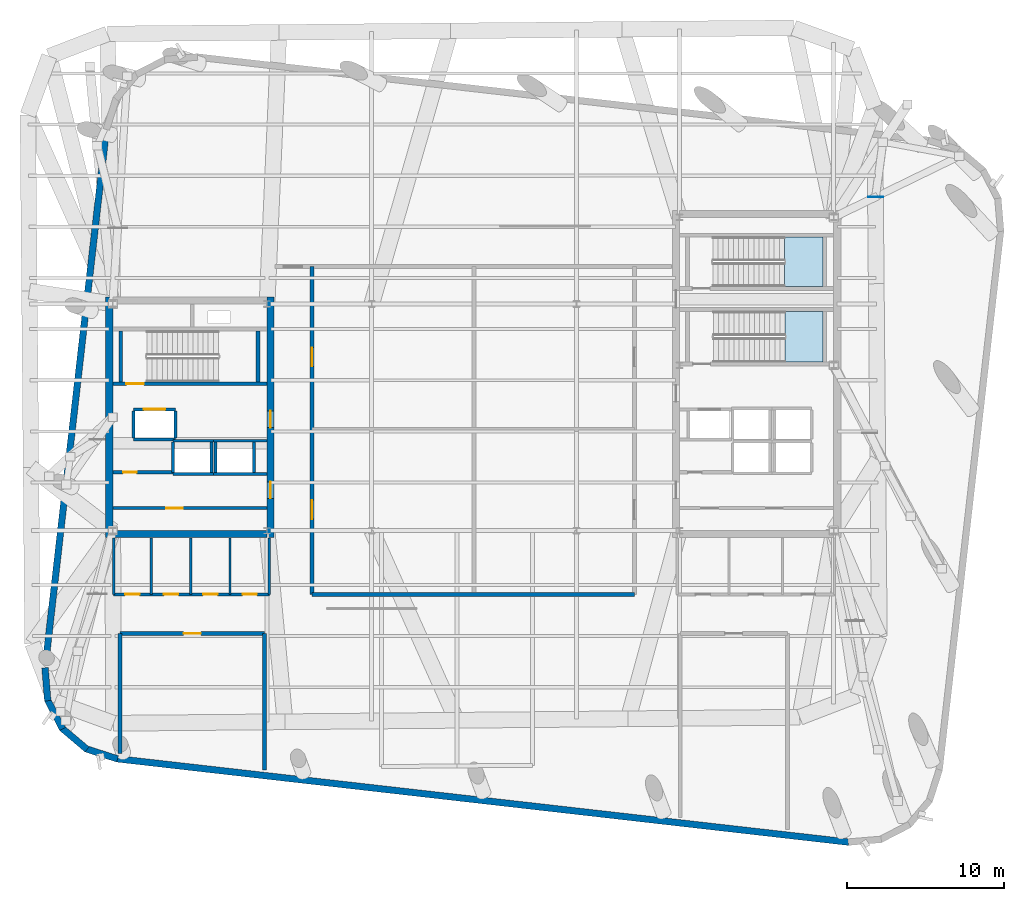
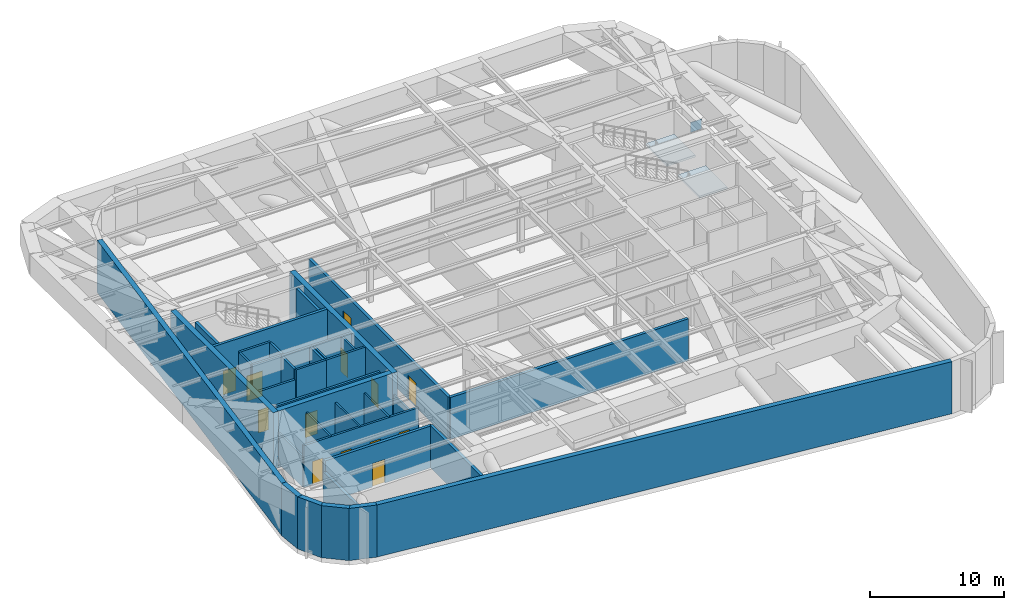
# One storey, part 7 of 12: 37 walls, 13 doors, 2 slabs, 1 plate, 13 openings, 2 elements without a shape of their own.
"""IFC4 building model written with IfcOpenShell, lengths in metres."""

from ifc_helpers import new_model, si_unit, direction, frame, frame_2d, origin, origin_2d, place, context, subcontext, project, spatial, polyline, rectangle, outline, extrude, material, layer, layer_set, type_object, element, fill, aggregate, save


model = new_model("IFC4")

# Units and contexts
model_context = context("Model", 3, precision=1e-05, world=origin(), true_north=direction((0.0, 1.0)))
body_context = subcontext(model_context, "Body", "Model", "MODEL_VIEW")
ifc_project = project(units=[si_unit("LENGTHUNIT", "METRE"), si_unit("AREAUNIT", "SQUARE_METRE"), si_unit("VOLUMEUNIT", "CUBIC_METRE"), si_unit("PLANEANGLEUNIT", "RADIAN"), si_unit("MASSUNIT", "GRAM", prefix="KILO")], contexts=[model_context])

# Site, building, storey
site_placement = place(None, origin())
site = spatial("IfcSite", under=ifc_project, at=site_placement, CompositionType="ELEMENT")
building_placement = place(site_placement, origin())
building = spatial("IfcBuilding", under=site, at=building_placement, Name="Kolvaren Arena Tower", CompositionType="ELEMENT")
storey_placement = place(building_placement, frame((0.0, 0.0, 269.699951171875)))
storey = spatial("IfcBuildingStorey", under=building, at=storey_placement, Name="L66", CompositionType="ELEMENT", Elevation=269.699951171875)

# Plate
ifc_material_1 = material(Name="Steel CSA G40.21 350WT", Category="steel")
ifc_layer_1 = layer(ifc_material_1, 0.0380859375)
ifc_layer_set_1 = layer_set([ifc_layer_1], Name="Steel CSA G40.21 350WT")
plate_type = type_object("IfcPlateType", Name="PLT-GUS-B1", PredefinedType="USERDEFINED", material=ifc_layer_set_1)
plate_placement = place(storey_placement, frame((63.010009765625, 40.6455078125, 0.2001953125), z_axis=(0.0, 0.0, 1.0), x_axis=(1.0, 0.0, 0.0)))
element("IfcPlate", 1, at=plate_placement, inside=storey, type_object=plate_type, Name="Outrigger Truss Gusset Plate 4 (L66)", ObjectType="GUSSET PLATE", PredefinedType="USERDEFINED", context=body_context, shape_type="SweptSolid", body=[
    extrude(rectangle(XDim=0.949951171875, YDim=0.0380859375, at=origin_2d()), origin(), (0.0, 0.0, 1.0), 0.89990234375),
])

# Stair, slab
ifc_material_2 = material(Name="Concrete 45 MPa", Category="concrete")
stair_type_1 = type_object("IfcStairType", Name="STAIR-CORE-165", PredefinedType="HALF_TURN_STAIR", material=ifc_material_2)
stair_1_placement = place(storey_placement, origin())
stair_1 = element("IfcStair", 2, at=stair_1_placement, inside=storey, type_object=stair_type_1, Name="L66 ST-E1", PredefinedType="HALF_TURN_STAIR")
ifc_layer_2 = layer(ifc_material_2, 0.199951171875)
ifc_layer_set_2 = layer_set([ifc_layer_2], Name="Concrete 45 MPa")
slab_type = type_object("IfcSlabType", Name="SLAB-LAND", PredefinedType="LANDING", material=ifc_layer_set_2)
slab_1_placement = place(storey_placement, frame((0.0, 0.0, 2.400146484375)))
slab_1 = element("IfcSlab", 3, at=slab_1_placement, type_object=slab_type, Name="ST-E1 landing 1", PredefinedType="LANDING", context=body_context, shape_type="SweptSolid", body=[
    extrude(outline(polyline([(57.256103515625, 30.14990234375), (59.659912109375, 30.14990234375), (59.659912109375, 33.3798828125), (57.256103515625, 33.3798828125), (57.256103515625, 30.14990234375)])), origin(), (0.0, 0.0, 1.0), 0.199951171875),
])
aggregate(stair_1, [slab_1])

stair_type_2 = type_object("IfcStairType", Name="STAIR-CORE-150", PredefinedType="HALF_TURN_STAIR", material=ifc_material_2)
stair_2_placement = place(storey_placement, origin())
stair_2 = element("IfcStair", 4, at=stair_2_placement, inside=storey, type_object=stair_type_2, Name="L66 ST-E2", PredefinedType="HALF_TURN_STAIR")
slab_2_placement = place(storey_placement, frame((0.0, 0.0, 2.400146484375)))
slab_2 = element("IfcSlab", 5, at=slab_2_placement, type_object=slab_type, Name="ST-E2 landing 1", PredefinedType="LANDING", context=body_context, shape_type="SweptSolid", body=[
    extrude(outline(polyline([(57.216064453125, 34.949951171875), (59.659912109375, 34.949951171875), (59.659912109375, 38.10009765625), (57.216064453125, 38.10009765625), (57.216064453125, 34.949951171875)])), origin(), (0.0, 0.0, 1.0), 0.199951171875),
])
aggregate(stair_2, [slab_2])

# Wall
ifc_material_3 = material(Name="Concrete 55 MPa", Category="concrete")
ifc_layer_3 = layer(ifc_material_3, 0.449951171875)
ifc_layer_set_3 = layer_set([ifc_layer_3], Name="Concrete 55 MPa")
wall_type_1 = type_object("IfcWallType", Name="CWALL-450", PredefinedType="SHEAR", material=ifc_layer_set_3)
wall_1_placement = place(storey_placement, frame((14.324951171875, 19.0, -0.419921875), z_axis=(0.0, 0.0, 1.0), x_axis=(0.0, 1.0, 0.0)))
element("IfcWall", 6, at=wall_1_placement, inside=storey, type_object=wall_type_1, Name="Core Shear Wall WC-WEST (L66)", PredefinedType="SHEAR", context=body_context, shape_type="SweptSolid", body=[
    extrude(rectangle(XDim=15.300048828125, YDim=0.449951171875, at=frame_2d((7.64990234375, 0.0))), origin(), (0.0, 0.0, 1.0), 5.169921875),
])

# Wall, openings, doors
wall_2_placement = place(storey_placement, frame((24.574951171875, 19.0, -0.419921875), z_axis=(0.0, 0.0, 1.0), x_axis=(0.0, 1.0, 0.0)))
wall_2 = element("IfcWall", 7, at=wall_2_placement, inside=storey, type_object=wall_type_1, Name="Core Shear Wall WC-EAST (L66)", PredefinedType="SHEAR", context=body_context, shape_type="SweptSolid", body=[
    extrude(rectangle(XDim=15.300048828125, YDim=0.449951171875, at=frame_2d((7.64990234375, 0.0))), origin(), (0.0, 0.0, 1.0), 5.169921875),
])
opening_1_placement = place(wall_2_placement, frame((2.5, 0.0, 0.419921875)))
opening_1 = element("IfcOpeningElement", 8, at=opening_1_placement, cuts=wall_2, Name="Opening D04", PredefinedType="OPENING", context=body_context, shape_type="SweptSolid", body=[
    extrude(rectangle(XDim=1.050048828125, YDim=2.14990234375, at=frame_2d((0.52490234375, 1.074951171875))), frame((0.0, 0.23486328125, 0.0), z_axis=(0.0, -1.0, 0.0), x_axis=(1.0, 0.0, 0.0)), (0.0, 0.0, 1.0), 0.469970703125),
])
opening_2_placement = place(wall_2_placement, frame((7.0, 0.0, 0.419921875)))
opening_2 = element("IfcOpeningElement", 9, at=opening_2_placement, cuts=wall_2, Name="Opening D04", PredefinedType="OPENING", context=body_context, shape_type="SweptSolid", body=[
    extrude(rectangle(XDim=1.050048828125, YDim=2.14990234375, at=frame_2d((0.52490234375, 1.074951171875))), frame((0.0, 0.23486328125, 0.0), z_axis=(0.0, -1.0, 0.0), x_axis=(1.0, 0.0, 0.0)), (0.0, 0.0, 1.0), 0.469970703125),
])
ifc_material_4 = material(Name="Fire-rated steel lobby door", Category="steel")
door_type_1 = type_object("IfcDoorType", Name="DOOR-FF-105", OperationType="NOTDEFINED", PredefinedType="DOOR", material=ifc_material_4)
door_1_placement = place(opening_1_placement, origin())
door_1 = element("IfcDoor", 10, at=door_1_placement, inside=storey, type_object=door_type_1, Name="West Lift Lobby Fire Door (L66)", OperationType="SINGLE_SWING_LEFT", OverallHeight=2.14990234375, OverallWidth=1.050048828125, PredefinedType="DOOR", context=body_context, shape_type="SweptSolid", body=[
    extrude(rectangle(XDim=1.050048828125, YDim=2.14990234375, at=frame_2d((0.52490234375, 1.074951171875))), frame((0.0, 0.02490234375, 0.0), z_axis=(0.0, -1.0, 0.0), x_axis=(1.0, 0.0, 0.0)), (0.0, 0.0, 1.0), 0.050048828125),
])
fill(opening_1, door_1)
door_2_placement = place(opening_2_placement, origin())
door_2 = element("IfcDoor", 11, at=door_2_placement, inside=storey, type_object=door_type_1, Name="West Firefighter Vestibule Door (L66)", OperationType="SINGLE_SWING_RIGHT", OverallHeight=2.14990234375, OverallWidth=1.050048828125, PredefinedType="DOOR", context=body_context, shape_type="SweptSolid", body=[
    extrude(rectangle(XDim=1.050048828125, YDim=2.14990234375, at=frame_2d((0.52490234375, 1.074951171875))), frame((0.0, 0.02490234375, 0.0), z_axis=(0.0, -1.0, 0.0), x_axis=(1.0, 0.0, 0.0)), (0.0, 0.0, 1.0), 0.050048828125),
])
fill(opening_2, door_2)

# Walls
wall_3_placement = place(storey_placement, frame((14.550048828125, 19.22509765625, -0.419921875), z_axis=(0.0, 0.0, 1.0), x_axis=(1.0, 0.0, 0.0)))
element("IfcWall", 12, at=wall_3_placement, inside=storey, type_object=wall_type_1, Name="Core Shear Wall WC-SOUTH (L66)", PredefinedType="SHEAR", context=body_context, shape_type="SweptSolid", body=[
    extrude(rectangle(XDim=9.800048828125, YDim=0.449951171875, at=frame_2d((4.89990234375, 0.0))), origin(), (0.0, 0.0, 1.0), 5.169921875),
])
ifc_material_5 = material(Name="Precast concrete C50/60", Category="concrete")
ifc_layer_4 = layer(ifc_material_5, 0.419921875)
ifc_layer_set_4 = layer_set([ifc_layer_4], Name="Precast concrete C50/60")
wall_type_2 = type_object("IfcWallType", Name="EXT-PIER1", PredefinedType="SOLIDWALL", material=ifc_layer_set_4)
wall_4_placement = place(storey_placement, frame((10.2412109375, 10.697265625, 0.0), z_axis=(0.0, 0.0, 1.0), x_axis=(0.113196122102, 0.993572663644, 0.0)))
element("IfcWall", 13, at=wall_4_placement, inside=storey, type_object=wall_type_2, Name="Exterior Precast Masonry-Frame Wall (L66)", PredefinedType="SOLIDWALL", context=body_context, shape_type="SweptSolid", body=[
    extrude(rectangle(XDim=34.5, YDim=0.419921875, at=frame_2d((17.25, 0.0))), origin(), (0.0, 0.0, 1.0), 4.75),
])
for number, where, z_axis, x_axis, name in (
    (14, (10.416015625, 8.638916015625, 0.0), (0.0, 0.0, 1.0), (-0.082738592698, 0.996571284595, 0.0), "Exterior Precast Masonry-Frame Wall (L66)"),
    (15, (11.3583984375, 6.844482421875, 0.0), (0.0, 0.0, 1.0), (-0.457934390142, 0.888985992199, 0.0), "Exterior Precast Masonry-Frame Wall (L66)"),
    (16, (12.915283203125, 5.547119140625, 0.0), (0.0, 0.0, 1.0), (-0.763144495302, 0.646227884953, 0.0), "Exterior Precast Masonry-Frame Wall (L66)"),
    (17, (14.850341796875, 4.944580078125, 0.0), (0.0, 0.0, 1.0), (-0.952393196904, 0.304872429864, 0.0), "Exterior Precast Masonry-Frame Wall (L66)"),
):
    element("IfcWall", number, at=place(storey_placement, frame(where, z_axis=z_axis, x_axis=x_axis)), inside=storey, type_object=wall_type_2, Name=name, PredefinedType="SOLIDWALL", context=body_context, shape_type="SweptSolid", body=[
        extrude(rectangle(XDim=2.10693359375, YDim=0.419921875, at=frame_2d((1.053466796875, 0.0))), origin(), (0.0, 0.0, 1.0), 4.75),
    ])
wall_5_placement = place(storey_placement, frame((61.309326171875, -0.3447265625, 0.0), z_axis=(0.0, 0.0, 1.0), x_axis=(-0.99357137216, 0.113207457457, 0.0)))
element("IfcWall", 18, at=wall_5_placement, inside=storey, type_object=wall_type_2, Name="Exterior Precast Masonry-Frame Wall (L66)", PredefinedType="SOLIDWALL", context=body_context, shape_type="SweptSolid", body=[
    extrude(rectangle(XDim=46.7998046875, YDim=0.419921875, at=frame_2d((23.39990234375, 0.0))), origin(), (0.0, 0.0, 1.0), 4.75),
])

# Wall, opening, door
ifc_material_6 = material(Name="Concrete 40 MPa", Category="concrete")
ifc_layer_5 = layer(ifc_material_6, 0.199951171875)
ifc_layer_set_5 = layer_set([ifc_layer_5], Name="Concrete 40 MPa")
wall_type_3 = type_object("IfcWallType", Name="LOBBY-200", PredefinedType="SOLIDWALL", material=ifc_layer_set_5)
wall_6_placement = place(storey_placement, frame((14.550048828125, 20.8798828125, 0.0), z_axis=(0.0, 0.0, 1.0), x_axis=(1.0, 0.0, 0.0)))
wall_6 = element("IfcWall", 19, at=wall_6_placement, inside=storey, type_object=wall_type_3, Name="Core Shaft Wall (L66)", PredefinedType="SOLIDWALL", context=body_context, shape_type="SweptSolid", body=[
    extrude(rectangle(XDim=9.800048828125, YDim=0.199951171875, at=frame_2d((4.89990234375, 0.0))), origin(), (0.0, 0.0, 1.0), 3.81005859375),
])
opening_3_placement = place(wall_6_placement, frame((3.39990234375, 0.0, 0.0)))
opening_3 = element("IfcOpeningElement", 20, at=opening_3_placement, cuts=wall_6, Name="Opening D04", PredefinedType="OPENING", context=body_context, shape_type="SweptSolid", body=[
    extrude(rectangle(XDim=1.050048828125, YDim=2.14990234375, at=frame_2d((0.52490234375, 1.074951171875))), frame((0.0, 0.10986328125, 0.0), z_axis=(0.0, -1.0, 0.0), x_axis=(1.0, 0.0, 0.0)), (0.0, 0.0, 1.0), 0.219970703125),
])
door_3_placement = place(opening_3_placement, origin())
door_3 = element("IfcDoor", 21, at=door_3_placement, inside=storey, type_object=door_type_1, Name="West IT Room Fire Door (L66)", OperationType="SINGLE_SWING_LEFT", OverallHeight=2.14990234375, OverallWidth=1.050048828125, PredefinedType="DOOR", context=body_context, shape_type="SweptSolid", body=[
    extrude(rectangle(XDim=1.050048828125, YDim=2.14990234375, at=frame_2d((0.52490234375, 1.074951171875))), frame((0.0, 0.02490234375, 0.0), z_axis=(0.0, -1.0, 0.0), x_axis=(1.0, 0.0, 0.0)), (0.0, 0.0, 1.0), 0.050048828125),
])
fill(opening_3, door_3)

wall_7_placement = place(storey_placement, frame((14.550048828125, 23.159912109375, 0.0), z_axis=(0.0, 0.0, 1.0), x_axis=(1.0, 0.0, 0.0)))
wall_7 = element("IfcWall", 22, at=wall_7_placement, inside=storey, type_object=wall_type_3, Name="Core Shaft Wall (L66)", PredefinedType="SOLIDWALL", context=body_context, shape_type="SweptSolid", body=[
    extrude(rectangle(XDim=3.820068359375, YDim=0.199951171875, at=frame_2d((1.91015625, 0.0))), origin(), (0.0, 0.0, 1.0), 3.81005859375),
])
opening_4_placement = place(wall_7_placement, frame((0.64990234375, 0.0, 0.0)))
opening_4 = element("IfcOpeningElement", 23, at=opening_4_placement, cuts=wall_7, Name="Opening D09", PredefinedType="OPENING", context=body_context, shape_type="SweptSolid", body=[
    extrude(rectangle(XDim=0.860107421875, YDim=2.050048828125, at=frame_2d((0.43017578125, 1.02490234375))), frame((0.0, 0.10986328125, 0.0), z_axis=(0.0, -1.0, 0.0), x_axis=(1.0, 0.0, 0.0)), (0.0, 0.0, 1.0), 0.219970703125),
])
ifc_material_7 = material(Name="Fire-rated steel riser access door", Category="steel")
door_type_2 = type_object("IfcDoorType", Name="DOOR-RS-086", OperationType="NOTDEFINED", PredefinedType="DOOR", material=ifc_material_7)
door_4_placement = place(opening_4_placement, origin())
door_4 = element("IfcDoor", 24, at=door_4_placement, inside=storey, type_object=door_type_2, Name="West Document Archive Riser Door (L66)", OperationType="SINGLE_SWING_RIGHT", OverallHeight=2.050048828125, OverallWidth=0.860107421875, PredefinedType="DOOR", context=body_context, shape_type="SweptSolid", body=[
    extrude(rectangle(XDim=0.860107421875, YDim=2.050048828125, at=frame_2d((0.43017578125, 1.02490234375))), frame((0.0, 0.02490234375, 0.0), z_axis=(0.0, -1.0, 0.0), x_axis=(1.0, 0.0, 0.0)), (0.0, 0.0, 1.0), 0.050048828125),
])
fill(opening_4, door_4)

ifc_layer_6 = layer(ifc_material_2, 0.25)
ifc_layer_set_6 = layer_set([ifc_layer_6], Name="Concrete 45 MPa")
wall_type_4 = type_object("IfcWallType", Name="SHAFT-250", PredefinedType="SOLIDWALL", material=ifc_layer_set_6)
wall_8_placement = place(storey_placement, frame((24.35009765625, 28.780029296875, 0.0), z_axis=(0.0, 0.0, 1.0), x_axis=(-1.0, 0.0, 0.0)))
wall_8 = element("IfcWall", 25, at=wall_8_placement, inside=storey, type_object=wall_type_4, Name="Core Shaft Wall (L66)", PredefinedType="SOLIDWALL", context=body_context, shape_type="SweptSolid", body=[
    extrude(rectangle(XDim=9.800048828125, YDim=0.239990234375, at=frame_2d((4.89990234375, 0.0))), origin(), (0.0, 0.0, 1.0), 4.75),
])
opening_5_placement = place(wall_8_placement, frame((7.830078125, 0.0, 0.0)))
opening_5 = element("IfcOpeningElement", 26, at=opening_5_placement, cuts=wall_8, Name="Opening D03", PredefinedType="OPENING", context=body_context, shape_type="SweptSolid", body=[
    extrude(rectangle(XDim=1.10009765625, YDim=2.14990234375, at=frame_2d((0.550048828125, 1.074951171875))), frame((0.0, 0.1298828125, 0.0), z_axis=(0.0, -1.0, 0.0), x_axis=(1.0, 0.0, 0.0)), (0.0, 0.0, 1.0), 0.260009765625),
])
ifc_material_8 = material(Name="Fire-rated steel exit stair door", Category="steel")
door_type_3 = type_object("IfcDoorType", Name="DOOR-ST-110", OperationType="NOTDEFINED", PredefinedType="DOOR", material=ifc_material_8)
door_5_placement = place(opening_5_placement, origin())
door_5 = element("IfcDoor", 27, at=door_5_placement, inside=storey, type_object=door_type_3, Name="Stair ST-W1 Fire Door (L66)", OperationType="SINGLE_SWING_RIGHT", OverallHeight=2.14990234375, OverallWidth=1.10009765625, PredefinedType="DOOR", context=body_context, shape_type="SweptSolid", body=[
    extrude(rectangle(XDim=1.10009765625, YDim=2.14990234375, at=frame_2d((0.550048828125, 1.074951171875))), frame((0.0, 0.02490234375, 0.0), z_axis=(0.0, -1.0, 0.0), x_axis=(1.0, 0.0, 0.0)), (0.0, 0.0, 1.0), 0.050048828125),
])
fill(opening_5, door_5)

# Walls
for number, where, z_axis, x_axis, name in (
    (28, (15.06005859375, 28.89990234375, 0.0), (0.0, 0.0, 1.0), (0.0, 1.0, 0.0), "Core Shaft Wall (L66)"),
    (29, (23.780029296875, 28.89990234375, 0.0), (0.0, 0.0, 1.0), (0.0, 1.0, 0.0), "Core Shaft Wall (L66)"),
):
    element("IfcWall", number, at=place(storey_placement, frame(where, z_axis=z_axis, x_axis=x_axis)), inside=storey, type_object=wall_type_4, Name=name, PredefinedType="SOLIDWALL", context=body_context, shape_type="SweptSolid", body=[
        extrude(rectangle(XDim=3.22998046875, YDim=0.239990234375, at=frame_2d((1.614990234375, 0.0))), origin(), (0.0, 0.0, 1.0), 4.75),
    ])
for number, where, z_axis, x_axis, name in (
    (30, (18.3701171875, 25.155029296875, 0.0), (0.0, 0.0, 1.0), (1.0, 0.0, 0.0), "Core Shaft Wall (L66)"),
    (31, (18.3701171875, 23.044921875, 0.0), (0.0, 0.0, 1.0), (1.0, 0.0, 0.0), "Core Shaft Wall (L66)"),
):
    element("IfcWall", number, at=place(storey_placement, frame(where, z_axis=z_axis, x_axis=x_axis)), inside=storey, type_object=wall_type_4, Name=name, PredefinedType="SOLIDWALL", context=body_context, shape_type="SweptSolid", body=[
        extrude(rectangle(XDim=2.579833984375, YDim=0.179931640625, at=frame_2d((1.2900390625, 0.0))), origin(), (0.0, 0.0, 1.0), 4.75),
    ])
for number, where, z_axis, x_axis, name in (
    (32, (18.3701171875, 23.135009765625, 0.0), (0.0, 0.0, 1.0), (0.0, 1.0, 0.0), "Core Shaft Wall (L66)"),
    (33, (20.830078125, 23.135009765625, 0.0), (0.0, 0.0, 1.0), (0.0, 1.0, 0.0), "Core Shaft Wall (L66)"),
):
    element("IfcWall", number, at=place(storey_placement, frame(where, z_axis=z_axis, x_axis=x_axis)), inside=storey, type_object=wall_type_4, Name=name, PredefinedType="SOLIDWALL", context=body_context, shape_type="SweptSolid", body=[
        extrude(rectangle(XDim=1.929931640625, YDim=0.179931640625, at=frame_2d((0.96484375, 0.0))), origin(), (0.0, 0.0, 1.0), 4.75),
    ])
for number, where, z_axis, x_axis, name in (
    (34, (20.949951171875, 25.155029296875, 0.0), (0.0, 0.0, 1.0), (1.0, 0.0, 0.0), "Core Shaft Wall (L66)"),
    (35, (20.949951171875, 23.044921875, 0.0), (0.0, 0.0, 1.0), (1.0, 0.0, 0.0), "Core Shaft Wall (L66)"),
):
    element("IfcWall", number, at=place(storey_placement, frame(where, z_axis=z_axis, x_axis=x_axis)), inside=storey, type_object=wall_type_4, Name=name, PredefinedType="SOLIDWALL", context=body_context, shape_type="SweptSolid", body=[
        extrude(rectangle(XDim=3.400146484375, YDim=0.179931640625, at=frame_2d((1.7001953125, 0.0))), origin(), (0.0, 0.0, 1.0), 4.75),
    ])
for number, where, z_axis, x_axis, name in (
    (36, (21.070068359375, 23.135009765625, 0.0), (0.0, 0.0, 1.0), (0.0, 1.0, 0.0), "Core Shaft Wall (L66)"),
    (37, (23.530029296875, 23.135009765625, 0.0), (0.0, 0.0, 1.0), (0.0, 1.0, 0.0), "Core Shaft Wall (L66)"),
):
    element("IfcWall", number, at=place(storey_placement, frame(where, z_axis=z_axis, x_axis=x_axis)), inside=storey, type_object=wall_type_4, Name=name, PredefinedType="SOLIDWALL", context=body_context, shape_type="SweptSolid", body=[
        extrude(rectangle(XDim=1.929931640625, YDim=0.179931640625, at=frame_2d((0.96484375, 0.0))), origin(), (0.0, 0.0, 1.0), 4.75),
    ])

# Wall, opening, door
wall_9_placement = place(storey_placement, frame((15.8701171875, 27.155029296875, 0.0), z_axis=(0.0, 0.0, 1.0), x_axis=(1.0, 0.0, 0.0)))
wall_9 = element("IfcWall", 38, at=wall_9_placement, inside=storey, type_object=wall_type_4, Name="Core Shaft Wall (L66)", PredefinedType="SOLIDWALL", context=body_context, shape_type="SweptSolid", body=[
    extrude(rectangle(XDim=2.659912109375, YDim=0.179931640625, at=frame_2d((1.330078125, 0.0))), origin(), (0.0, 0.0, 1.0), 4.75),
])
opening_6_placement = place(wall_9_placement, frame((0.655029296875, 0.0, 0.0)))
opening_6 = element("IfcOpeningElement", 39, at=opening_6_placement, cuts=wall_9, Name="Opening LD2", PredefinedType="OPENING", context=body_context, shape_type="SweptSolid", body=[
    extrude(rectangle(XDim=1.35009765625, YDim=2.300048828125, at=frame_2d((0.675048828125, 1.14990234375))), frame((0.0, 0.099853515625, 0.0), z_axis=(0.0, -1.0, 0.0), x_axis=(1.0, 0.0, 0.0)), (0.0, 0.0, 1.0), 0.199951171875),
])
ifc_material_9 = material(Name="Stainless steel firefighter lift landing door", Category="steel")
door_type_4 = type_object("IfcDoorType", Name="DOOR-LD-135", OperationType="DOUBLE_DOOR_SLIDING", PredefinedType="DOOR", material=ifc_material_9)
door_6_placement = place(opening_6_placement, origin())
door_6 = element("IfcDoor", 40, at=door_6_placement, inside=storey, type_object=door_type_4, Name="Firefighter Lift FF-W1 Landing Door (L66)", OperationType="DOUBLE_DOOR_SLIDING", OverallHeight=2.300048828125, OverallWidth=1.35009765625, PredefinedType="DOOR", context=body_context, shape_type="SweptSolid", body=[
    extrude(rectangle(XDim=1.35009765625, YDim=2.300048828125, at=frame_2d((0.675048828125, 1.14990234375))), frame((0.0, 0.02490234375, 0.0), z_axis=(0.0, -1.0, 0.0), x_axis=(1.0, 0.0, 0.0)), (0.0, 0.0, 1.0), 0.050048828125),
])
fill(opening_6, door_6)

# Walls
wall_10_placement = place(storey_placement, frame((15.8701171875, 25.2451171875, 0.0), z_axis=(0.0, 0.0, 1.0), x_axis=(1.0, 0.0, 0.0)))
element("IfcWall", 41, at=wall_10_placement, inside=storey, type_object=wall_type_4, Name="Core Shaft Wall (L66)", PredefinedType="SOLIDWALL", context=body_context, shape_type="SweptSolid", body=[
    extrude(rectangle(XDim=2.659912109375, YDim=0.179931640625, at=frame_2d((1.330078125, 0.0))), origin(), (0.0, 0.0, 1.0), 4.75),
])
for number, where, z_axis, x_axis, name in (
    (42, (15.8701171875, 25.3349609375, 0.0), (0.0, 0.0, 1.0), (0.0, 1.0, 0.0), "Core Shaft Wall (L66)"),
    (43, (18.530029296875, 25.3349609375, 0.0), (0.0, 0.0, 1.0), (0.0, 1.0, 0.0), "Core Shaft Wall (L66)"),
):
    element("IfcWall", number, at=place(storey_placement, frame(where, z_axis=z_axis, x_axis=x_axis)), inside=storey, type_object=wall_type_4, Name=name, PredefinedType="SOLIDWALL", context=body_context, shape_type="SweptSolid", body=[
        extrude(rectangle(XDim=1.72998046875, YDim=0.179931640625, at=frame_2d((0.864990234375, 0.0))), origin(), (0.0, 0.0, 1.0), 4.75),
    ])
wall_11_placement = place(storey_placement, frame((27.199951171875, 15.3798828125, 0.0), z_axis=(0.0, 0.0, 1.0), x_axis=(1.0, 0.0, 0.0)))
element("IfcWall", 44, at=wall_11_placement, inside=storey, type_object=wall_type_4, Name="Interior Partition Wall (L66)", PredefinedType="SOLIDWALL", context=body_context, shape_type="SweptSolid", body=[
    extrude(rectangle(XDim=20.5, YDim=0.25, at=frame_2d((10.25, 0.0))), origin(), (0.0, 0.0, 1.0), 3.81005859375),
])

# Wall, openings, doors
wall_12_placement = place(storey_placement, frame((27.199951171875, 15.3798828125, 0.0), z_axis=(0.0, 0.0, 1.0), x_axis=(0.0, 1.0, 0.0)))
wall_12 = element("IfcWall", 45, at=wall_12_placement, inside=storey, type_object=wall_type_4, Name="Interior Partition Wall (L66)", PredefinedType="SOLIDWALL", context=body_context, shape_type="SweptSolid", body=[
    extrude(rectangle(XDim=20.840087890625, YDim=0.25, at=frame_2d((10.419921875, 0.0))), origin(), (0.0, 0.0, 1.0), 3.81005859375),
])
opening_7_placement = place(wall_12_placement, frame((4.800048828125, 0.0, 0.0)))
opening_7 = element("IfcOpeningElement", 46, at=opening_7_placement, cuts=wall_12, Name="Opening D08", PredefinedType="OPENING", context=body_context, shape_type="SweptSolid", body=[
    extrude(rectangle(XDim=1.199951171875, YDim=2.199951171875, at=frame_2d((0.60009765625, 1.10009765625))), frame((0.0, 0.135009765625, 0.0), z_axis=(0.0, -1.0, 0.0), x_axis=(1.0, 0.0, 0.0)), (0.0, 0.0, 1.0), 0.27001953125),
])
opening_8_placement = place(wall_12_placement, frame((14.5, 0.0, 0.0)))
opening_8 = element("IfcOpeningElement", 47, at=opening_8_placement, cuts=wall_12, Name="Opening D08", PredefinedType="OPENING", context=body_context, shape_type="SweptSolid", body=[
    extrude(rectangle(XDim=1.199951171875, YDim=2.199951171875, at=frame_2d((0.60009765625, 1.10009765625))), frame((0.0, 0.135009765625, 0.0), z_axis=(0.0, -1.0, 0.0), x_axis=(1.0, 0.0, 0.0)), (0.0, 0.0, 1.0), 0.27001953125),
])
ifc_material_10 = material(Name="Fire-rated steel plant room door", Category="steel")
door_type_5 = type_object("IfcDoorType", Name="DOOR-PL-120", OperationType="NOTDEFINED", PredefinedType="DOOR", material=ifc_material_10)
door_7_placement = place(opening_7_placement, origin())
door_7 = element("IfcDoor", 48, at=door_7_placement, inside=storey, type_object=door_type_5, Name="AHU Plant Door (L66)", OperationType="SINGLE_SWING_LEFT", OverallHeight=2.199951171875, OverallWidth=1.199951171875, PredefinedType="DOOR", context=body_context, shape_type="SweptSolid", body=[
    extrude(rectangle(XDim=1.199951171875, YDim=2.199951171875, at=frame_2d((0.60009765625, 1.10009765625))), frame((0.0, 0.02490234375, 0.0), z_axis=(0.0, -1.0, 0.0), x_axis=(1.0, 0.0, 0.0)), (0.0, 0.0, 1.0), 0.050048828125),
])
fill(opening_7, door_7)
door_8_placement = place(opening_8_placement, origin())
door_8 = element("IfcDoor", 49, at=door_8_placement, inside=storey, type_object=door_type_5, Name="Pump Plant Door (L66)", OperationType="SINGLE_SWING_RIGHT", OverallHeight=2.199951171875, OverallWidth=1.199951171875, PredefinedType="DOOR", context=body_context, shape_type="SweptSolid", body=[
    extrude(rectangle(XDim=1.199951171875, YDim=2.199951171875, at=frame_2d((0.60009765625, 1.10009765625))), frame((0.0, 0.02490234375, 0.0), z_axis=(0.0, -1.0, 0.0), x_axis=(1.0, 0.0, 0.0)), (0.0, 0.0, 1.0), 0.050048828125),
])
fill(opening_8, door_8)

# Wall, opening, door
wall_13_placement = place(storey_placement, frame((15.0, 12.919921875, 0.0), z_axis=(0.0, 0.0, 1.0), x_axis=(1.0, 0.0, 0.0)))
wall_13 = element("IfcWall", 50, at=wall_13_placement, inside=storey, type_object=wall_type_4, Name="Interior Partition Wall (L66)", PredefinedType="SOLIDWALL", context=body_context, shape_type="SweptSolid", body=[
    extrude(rectangle(XDim=9.199951171875, YDim=0.25, at=frame_2d((4.60009765625, 0.0))), origin(), (0.0, 0.0, 1.0), 3.81005859375),
])
opening_9_placement = place(wall_13_placement, frame((4.050048828125, 0.0, 0.0)))
opening_9 = element("IfcOpeningElement", 51, at=opening_9_placement, cuts=wall_13, Name="Opening D03", PredefinedType="OPENING", context=body_context, shape_type="SweptSolid", body=[
    extrude(rectangle(XDim=1.10009765625, YDim=2.14990234375, at=frame_2d((0.550048828125, 1.074951171875))), frame((0.0, 0.135009765625, 0.0), z_axis=(0.0, -1.0, 0.0), x_axis=(1.0, 0.0, 0.0)), (0.0, 0.0, 1.0), 0.27001953125),
])
door_9_placement = place(opening_9_placement, origin())
door_9 = element("IfcDoor", 52, at=door_9_placement, inside=storey, type_object=door_type_3, Name="West Area of Refuge Door (L66)", OperationType="SINGLE_SWING_LEFT", OverallHeight=2.14990234375, OverallWidth=1.10009765625, PredefinedType="DOOR", context=body_context, shape_type="SweptSolid", body=[
    extrude(rectangle(XDim=1.10009765625, YDim=2.14990234375, at=frame_2d((0.550048828125, 1.074951171875))), frame((0.0, 0.02490234375, 0.0), z_axis=(0.0, -1.0, 0.0), x_axis=(1.0, 0.0, 0.0)), (0.0, 0.0, 1.0), 0.050048828125),
])
fill(opening_9, door_9)

# Walls
wall_14_placement = place(storey_placement, frame((15.0, 5.283935546875, 0.0), z_axis=(0.0, 0.0, 1.0), x_axis=(0.0, 1.0, 0.0)))
element("IfcWall", 53, at=wall_14_placement, inside=storey, type_object=wall_type_4, Name="Interior Partition Wall (L66)", PredefinedType="SOLIDWALL", context=body_context, shape_type="SweptSolid", body=[
    extrude(rectangle(XDim=7.635986328125, YDim=0.25, at=frame_2d((3.81787109375, 0.0))), origin(), (0.0, 0.0, 1.0), 2.800048828125),
])
wall_15_placement = place(storey_placement, frame((24.199951171875, 4.235595703125, 0.0), z_axis=(0.0, 0.0, 1.0), x_axis=(0.0, 1.0, 0.0)))
element("IfcWall", 54, at=wall_15_placement, inside=storey, type_object=wall_type_4, Name="Interior Partition Wall (L66)", PredefinedType="SOLIDWALL", context=body_context, shape_type="SweptSolid", body=[
    extrude(rectangle(XDim=8.684326171875, YDim=0.25, at=frame_2d((4.34228515625, 0.0))), origin(), (0.0, 0.0, 1.0), 3.81005859375),
])
ifc_material_11 = material(Name="Moisture-resistant gypsum assembly", Category="gypsum")
ifc_layer_7 = layer(ifc_material_11, 0.14990234375)
ifc_layer_set_7 = layer_set([ifc_layer_7], Name="Moisture-resistant gypsum assembly")
wall_type_5 = type_object("IfcWallType", Name="WETW-150", PredefinedType="PARTITIONING", material=ifc_layer_set_7)
for number, where, z_axis, x_axis, name in (
    (55, (17.0, 15.39990234375, 0.0), (0.0, 0.0, 1.0), (0.0, 1.0, 0.0), "Interior Partition Wall (L66)"),
    (56, (19.5, 15.39990234375, 0.0), (0.0, 0.0, 1.0), (0.0, 1.0, 0.0), "Interior Partition Wall (L66)"),
    (57, (22.0, 15.39990234375, 0.0), (0.0, 0.0, 1.0), (0.0, 1.0, 0.0), "Interior Partition Wall (L66)"),
):
    element("IfcWall", number, at=place(storey_placement, frame(where, z_axis=z_axis, x_axis=x_axis)), inside=storey, type_object=wall_type_5, Name=name, PredefinedType="PARTITIONING", context=body_context, shape_type="SweptSolid", body=[
        extrude(rectangle(XDim=3.580078125, YDim=0.14990234375, at=frame_2d((1.7900390625, 0.0))), origin(), (0.0, 0.0, 1.0), 3.81005859375),
    ])

# Wall, openings, doors
wall_16_placement = place(storey_placement, frame((14.60009765625, 15.39990234375, 0.0), z_axis=(0.0, 0.0, 1.0), x_axis=(1.0, 0.0, 0.0)))
wall_16 = element("IfcWall", 58, at=wall_16_placement, inside=storey, type_object=wall_type_5, Name="Interior Partition Wall (L66)", PredefinedType="PARTITIONING", context=body_context, shape_type="SweptSolid", body=[
    extrude(rectangle(XDim=9.89990234375, YDim=0.179931640625, at=frame_2d((4.949951171875, 0.0))), origin(), (0.0, 0.0, 1.0), 3.81005859375),
])
opening_10_placement = place(wall_16_placement, frame((0.739990234375, 0.0, 0.0)))
opening_10 = element("IfcOpeningElement", 59, at=opening_10_placement, cuts=wall_16, Name="Opening D07", PredefinedType="OPENING", context=body_context, shape_type="SweptSolid", body=[
    extrude(rectangle(XDim=0.919921875, YDim=2.10009765625, at=frame_2d((0.4599609375, 1.050048828125))), frame((0.0, 0.099853515625, 0.0), z_axis=(0.0, -1.0, 0.0), x_axis=(1.0, 0.0, 0.0)), (0.0, 0.0, 1.0), 0.199951171875),
])
opening_11_placement = place(wall_16_placement, frame((3.18994140625, 0.0, 0.0)))
opening_11 = element("IfcOpeningElement", 60, at=opening_11_placement, cuts=wall_16, Name="Opening D07", PredefinedType="OPENING", context=body_context, shape_type="SweptSolid", body=[
    extrude(rectangle(XDim=0.919921875, YDim=2.10009765625, at=frame_2d((0.4599609375, 1.050048828125))), frame((0.0, 0.099853515625, 0.0), z_axis=(0.0, -1.0, 0.0), x_axis=(1.0, 0.0, 0.0)), (0.0, 0.0, 1.0), 0.199951171875),
])
opening_12_placement = place(wall_16_placement, frame((5.68994140625, 0.0, 0.0)))
opening_12 = element("IfcOpeningElement", 61, at=opening_12_placement, cuts=wall_16, Name="Opening D07", PredefinedType="OPENING", context=body_context, shape_type="SweptSolid", body=[
    extrude(rectangle(XDim=0.919921875, YDim=2.10009765625, at=frame_2d((0.4599609375, 1.050048828125))), frame((0.0, 0.099853515625, 0.0), z_axis=(0.0, -1.0, 0.0), x_axis=(1.0, 0.0, 0.0)), (0.0, 0.0, 1.0), 0.199951171875),
])
opening_13_placement = place(wall_16_placement, frame((8.18994140625, 0.0, 0.0)))
opening_13 = element("IfcOpeningElement", 62, at=opening_13_placement, cuts=wall_16, Name="Opening D07", PredefinedType="OPENING", context=body_context, shape_type="SweptSolid", body=[
    extrude(rectangle(XDim=0.919921875, YDim=2.10009765625, at=frame_2d((0.4599609375, 1.050048828125))), frame((0.0, 0.099853515625, 0.0), z_axis=(0.0, -1.0, 0.0), x_axis=(1.0, 0.0, 0.0)), (0.0, 0.0, 1.0), 0.199951171875),
])
ifc_material_12 = material(Name="Laminate universal washroom door", Category="wood")
door_type_6 = type_object("IfcDoorType", Name="DOOR-WC-092", OperationType="NOTDEFINED", PredefinedType="DOOR", material=ifc_material_12)
door_10_placement = place(opening_10_placement, origin())
door_10 = element("IfcDoor", 63, at=door_10_placement, inside=storey, type_object=door_type_6, Name="Cleaner and Janitor Store Door (L66)", OperationType="SINGLE_SWING_RIGHT", OverallHeight=2.10009765625, OverallWidth=0.919921875, PredefinedType="DOOR", context=body_context, shape_type="SweptSolid", body=[
    extrude(rectangle(XDim=0.919921875, YDim=2.10009765625, at=frame_2d((0.4599609375, 1.050048828125))), frame((0.0, 0.02490234375, 0.0), z_axis=(0.0, -1.0, 0.0), x_axis=(1.0, 0.0, 0.0)), (0.0, 0.0, 1.0), 0.050048828125),
])
fill(opening_10, door_10)
door_11_placement = place(opening_11_placement, origin())
door_11 = element("IfcDoor", 64, at=door_11_placement, inside=storey, type_object=door_type_6, Name="Universal Barrier-Free Washroom Door (L66)", OperationType="SINGLE_SWING_LEFT", OverallHeight=2.10009765625, OverallWidth=0.919921875, PredefinedType="DOOR", context=body_context, shape_type="SweptSolid", body=[
    extrude(rectangle(XDim=0.919921875, YDim=2.10009765625, at=frame_2d((0.4599609375, 1.050048828125))), frame((0.0, 0.02490234375, 0.0), z_axis=(0.0, -1.0, 0.0), x_axis=(1.0, 0.0, 0.0)), (0.0, 0.0, 1.0), 0.050048828125),
])
fill(opening_11, door_11)
door_12_placement = place(opening_12_placement, origin())
door_12 = element("IfcDoor", 65, at=door_12_placement, inside=storey, type_object=door_type_6, Name="Women Restroom Door (L66)", OperationType="SINGLE_SWING_RIGHT", OverallHeight=2.10009765625, OverallWidth=0.919921875, PredefinedType="DOOR", context=body_context, shape_type="SweptSolid", body=[
    extrude(rectangle(XDim=0.919921875, YDim=2.10009765625, at=frame_2d((0.4599609375, 1.050048828125))), frame((0.0, 0.02490234375, 0.0), z_axis=(0.0, -1.0, 0.0), x_axis=(1.0, 0.0, 0.0)), (0.0, 0.0, 1.0), 0.050048828125),
])
fill(opening_12, door_12)
door_13_placement = place(opening_13_placement, origin())
door_13 = element("IfcDoor", 66, at=door_13_placement, inside=storey, type_object=door_type_6, Name="Men Restroom Door (L66)", OperationType="SINGLE_SWING_LEFT", OverallHeight=2.10009765625, OverallWidth=0.919921875, PredefinedType="DOOR", context=body_context, shape_type="SweptSolid", body=[
    extrude(rectangle(XDim=0.919921875, YDim=2.10009765625, at=frame_2d((0.4599609375, 1.050048828125))), frame((0.0, 0.02490234375, 0.0), z_axis=(0.0, -1.0, 0.0), x_axis=(1.0, 0.0, 0.0)), (0.0, 0.0, 1.0), 0.050048828125),
])
fill(opening_13, door_13)

# Walls
for number, where, z_axis, x_axis, name in (
    (67, (14.60009765625, 15.39990234375, 0.0), (0.0, 0.0, 1.0), (0.0, 1.0, 0.0), "Interior Partition Wall (L66)"),
    (68, (24.5, 15.39990234375, 0.0), (0.0, 0.0, 1.0), (0.0, 1.0, 0.0), "Interior Partition Wall (L66)"),
):
    element("IfcWall", number, at=place(storey_placement, frame(where, z_axis=z_axis, x_axis=x_axis)), inside=storey, type_object=wall_type_5, Name=name, PredefinedType="PARTITIONING", context=body_context, shape_type="SweptSolid", body=[
        extrude(rectangle(XDim=3.580078125, YDim=0.14990234375, at=frame_2d((1.7900390625, 0.0))), origin(), (0.0, 0.0, 1.0), 2.800048828125),
    ])

save(model, "model.ifc")
